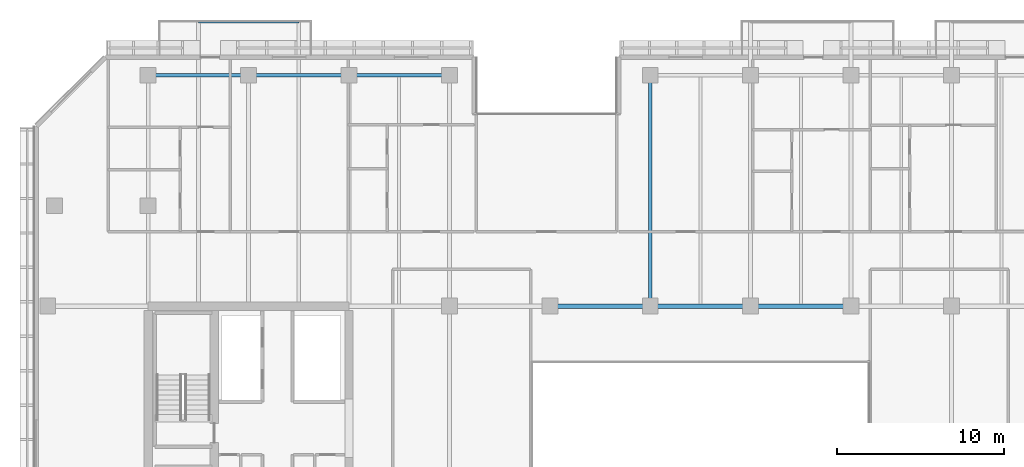
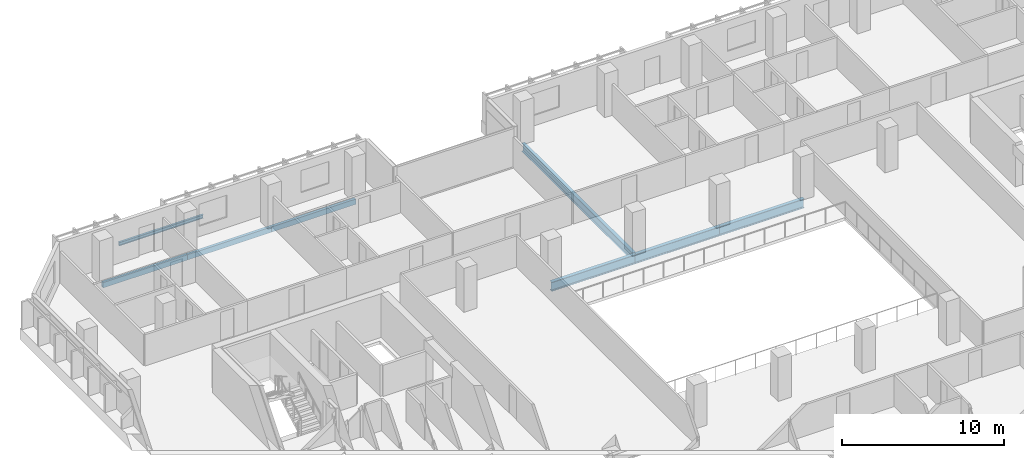
# One storey, part 7 of 23: 8 beams.
"""IFC4 building model written with IfcOpenShell, lengths in metres."""

from ifc_helpers import new_model, si_unit, direction, frame, origin, origin_2d, place, context, subcontext, project, spatial, hollow_rectangle, i_section, extrude, material, material_profile, profile_set, type_object, element, save


model = new_model("IFC4")

# Units and contexts
model_context = context("Model", 3, precision=1e-05, world=origin(), true_north=direction((0.0, 1.0)))
body_context = subcontext(model_context, "Body", "Model", "MODEL_VIEW")
ifc_project = project(units=[si_unit("LENGTHUNIT", "METRE"), si_unit("AREAUNIT", "SQUARE_METRE"), si_unit("VOLUMEUNIT", "CUBIC_METRE"), si_unit("PLANEANGLEUNIT", "RADIAN"), si_unit("MASSUNIT", "GRAM", prefix="KILO")], contexts=[model_context])

# Site, building, storey
site_placement = place(None, origin())
site = spatial("IfcSite", under=ifc_project, at=site_placement, CompositionType="ELEMENT")
building_placement = place(site_placement, origin())
building = spatial("IfcBuilding", under=site, at=building_placement, Name="Tanjung Sevakor Pilgrim Tower", CompositionType="ELEMENT")
storey_placement = place(building_placement, frame((0.0, 0.0, 105.27001953125)))
storey = spatial("IfcBuildingStorey", under=building, at=storey_placement, Name="L29", CompositionType="ELEMENT", Elevation=105.27001953125)

# Beams
ifc_material_1 = material(Name="Steel S355J2", Category="steel")
ifc_material_profile_1 = material_profile(ifc_material_1, i_section(OverallWidth=0.25439453125, OverallDepth=0.6875, WebThickness=0.01318359375, FlangeThickness=0.02099609375, FilletRadius=0.01513671875, at=origin_2d()))
ifc_profile_set_1 = profile_set([ifc_material_profile_1], Name="Steel S355J2")
beam_type_1 = type_object("IfcBeamType", Name="BM-B-G2-UB_686x254x152", PredefinedType="BEAM", material=ifc_profile_set_1)
for number, where, z_axis, x_axis, name in (
    (1, (48.0, 42.60009765625, -0.563720703125), (1.0, 0.0, 0.0), (0.0, 1.0, 0.0), "L29 Primary Floor Girder MAIN Y426-04"),
    (2, (54.0, 42.60009765625, -0.563720703125), (1.0, 0.0, 0.0), (0.0, 1.0, 0.0), "L29 Primary Floor Girder MAIN Y426-05"),
    (3, (60.0, 42.60009765625, -0.563720703125), (1.0, 0.0, 0.0), (0.0, 1.0, 0.0), "L29 Primary Floor Girder MAIN Y426-06"),
):
    element("IfcBeam", number, at=place(storey_placement, frame(where, z_axis=z_axis, x_axis=x_axis)), inside=storey, type_object=beam_type_1, Name=name, PredefinedType="BEAM", context=body_context, shape_type="SweptSolid", body=[
        extrude(i_section(OverallWidth=0.25439453125, OverallDepth=0.6875, WebThickness=0.01318359375, FlangeThickness=0.02099609375, FilletRadius=0.01513671875, at=origin_2d()), origin(), (0.0, 0.0, 1.0), 6.0),
    ])
ifc_material_2 = material(Name="Steel S355J2", Category="steel")
ifc_material_profile_2 = material_profile(ifc_material_2, i_section(OverallWidth=0.230224609375, OverallDepth=0.6171875, WebThickness=0.01318359375, FlangeThickness=0.022216796875, FilletRadius=0.0126953125, at=origin_2d()))
ifc_profile_set_2 = profile_set([ifc_material_profile_2], Name="Steel S355J2")
beam_type_2 = type_object("IfcBeamType", Name="BM-B-G3-UB_610x229x140", PredefinedType="BEAM", material=ifc_profile_set_2)
beam_1_placement = place(storey_placement, frame((54.0, 42.60009765625, -0.528564453125), z_axis=(0.0, 1.0, 0.0), x_axis=(-1.0, 0.0, 0.0)))
element("IfcBeam", 4, at=beam_1_placement, inside=storey, type_object=beam_type_2, Name="L29 MAIN Girder 013", PredefinedType="BEAM", context=body_context, shape_type="SweptSolid", body=[
    extrude(i_section(OverallWidth=0.230224609375, OverallDepth=0.6171875, WebThickness=0.01318359375, FlangeThickness=0.022216796875, FilletRadius=0.0126953125, at=origin_2d()), origin(), (0.0, 0.0, 1.0), 13.7998046875),
])
ifc_material_3 = material(Name="Steel S355J2", Category="steel")
ifc_material_profile_3 = material_profile(ifc_material_3, i_section(OverallWidth=0.146484375, OverallDepth=0.256103515625, WebThickness=0.00634765625, FlangeThickness=0.010986328125, FilletRadius=0.007568359375, at=origin_2d()))
ifc_profile_set_3 = profile_set([ifc_material_profile_3], Name="Steel S355J2")
beam_type_3 = type_object("IfcBeamType", Name="BM-B-J6-UB_254x146x37", PredefinedType="JOIST", material=ifc_profile_set_3)
beam_2_placement = place(storey_placement, frame((27.0, 59.580078125, -0.328125), z_axis=(1.0, 0.0, 0.0), x_axis=(0.0, 1.0, 0.0)))
element("IfcBeam", 5, at=beam_2_placement, inside=storey, type_object=beam_type_3, Name="L29 Balcony Rim Tie MAIN-N1", PredefinedType="JOIST", context=body_context, shape_type="SweptSolid", body=[
    extrude(i_section(OverallWidth=0.146484375, OverallDepth=0.256103515625, WebThickness=0.00634765625, FlangeThickness=0.010986328125, FilletRadius=0.007568359375, at=origin_2d()), origin(), (0.0, 0.0, 1.0), 6.0),
])
ifc_material_4 = material(Name="Steel S355J2", Category="steel")
ifc_material_profile_4 = material_profile(ifc_material_4, hollow_rectangle(XDim=0.199951171875, YDim=0.39990234375, WallThickness=0.01611328125, at=origin_2d()))
ifc_profile_set_4 = profile_set([ifc_material_profile_4], Name="Steel S355J2")
beam_type_4 = type_object("IfcBeamType", Name="BM-B-SP2-RHS_400x200x16", PredefinedType="SPANDREL", material=ifc_profile_set_4)
for number, where, z_axis, x_axis, name in (
    (6, (24.0, 56.39990234375, -0.419921875), (1.0, 0.0, 0.0), (0.0, 1.0, 0.0), "L29 Spandrel MAIN N-02"),
    (7, (30.0, 56.39990234375, -0.419921875), (1.0, 0.0, 0.0), (0.0, 1.0, 0.0), "L29 Spandrel MAIN N-04"),
    (8, (36.0, 56.39990234375, -0.419921875), (1.0, 0.0, 0.0), (0.0, 1.0, 0.0), "L29 Spandrel MAIN N-06"),
):
    element("IfcBeam", number, at=place(storey_placement, frame(where, z_axis=z_axis, x_axis=x_axis)), inside=storey, type_object=beam_type_4, Name=name, PredefinedType="SPANDREL", context=body_context, shape_type="SweptSolid", body=[
        extrude(hollow_rectangle(XDim=0.199951171875, YDim=0.39990234375, WallThickness=0.01611328125, at=origin_2d()), origin(), (0.0, 0.0, 1.0), 6.0),
    ])

save(model, "model.ifc")
